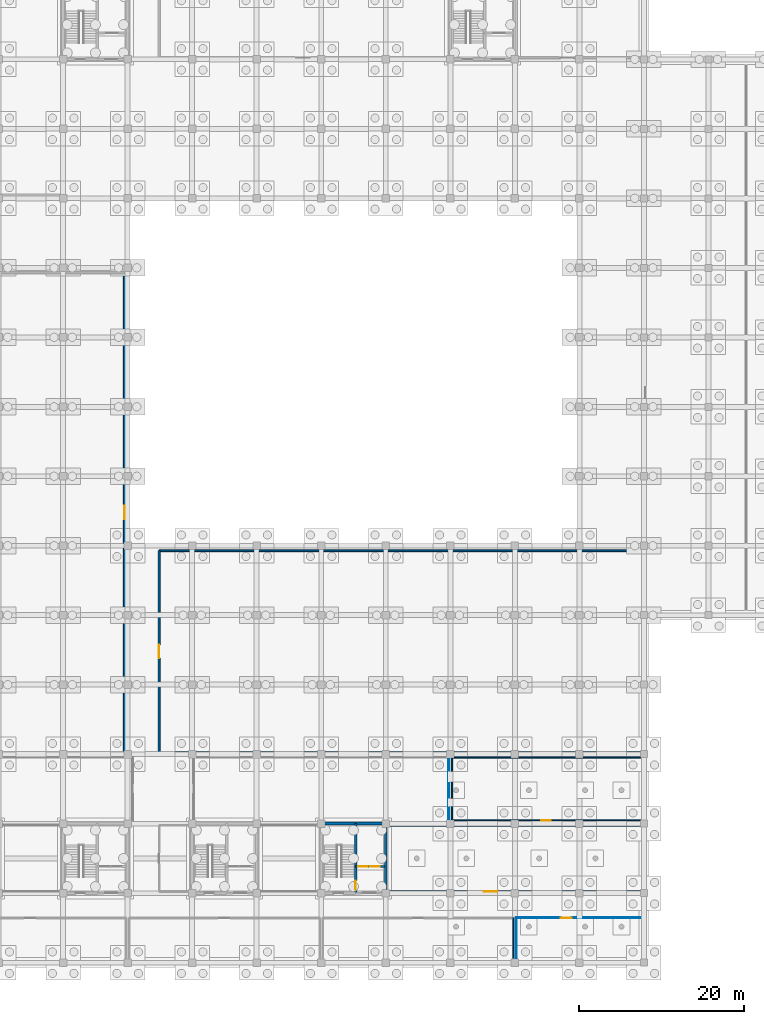
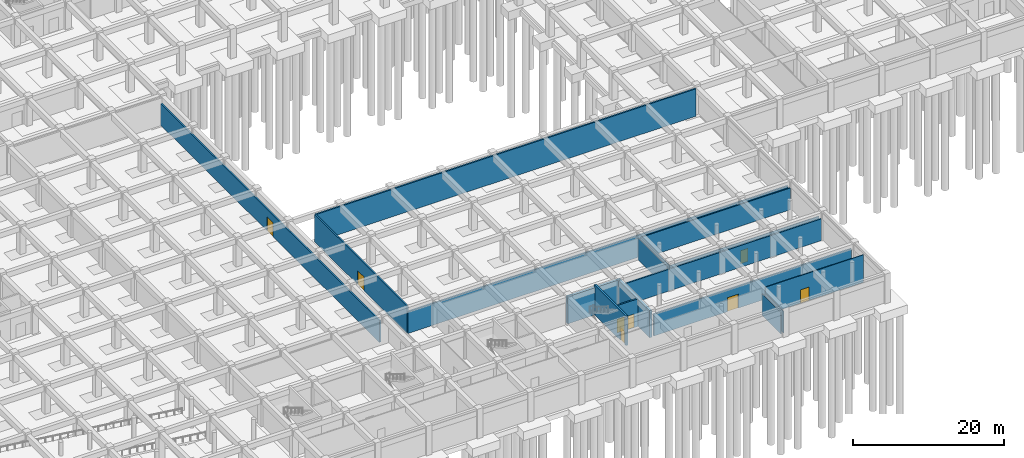
# One storey, part 20 of 31: 17 walls, 8 doors, 8 openings.
"""IFC4 building model written with IfcOpenShell, lengths in metres."""

import ifcopenshell
import ifcopenshell.guid

model = None  # the IFC model being written
_history = None  # IfcOwnerHistory: only IFC2X3 demands one
_inside = {}  # id of a spatial element -> (the spatial element, [elements in it])
_under = {}  # id of a project, library or spatial element -> (it, [spatial elements below it])
_declared = {}  # id of a project -> (the project, [libraries it declares])
_typed = {}  # id of a type object -> (the type object, [elements of that type])
_made_of = {}  # id of a material, layer set ... -> (it, [elements and type objects made of it])


def new_model(schema):
    """Start an empty IFC model of exactly this schema.

    Asked for "IFC4X3", IfcOpenShell would pick the latest addendum, in which some entities
    have other attributes; the version numbers below select the first issue.
    IFC2X3 requires an IfcOwnerHistory on every rooted entity: one is made here for all.
    """
    global model, _history
    if schema == "IFC4X3":
        model = ifcopenshell.file(schema_version=(4, 3, 0, 0))
    else:
        model = ifcopenshell.file(schema=schema)
    _inside.clear()
    _under.clear()
    _declared.clear()
    _typed.clear()
    _made_of.clear()
    _history = None
    if model.schema == "IFC2X3":
        org = make("IfcOrganization", Name="unknown")
        user = make(
            "IfcPersonAndOrganization",
            ThePerson=make("IfcPerson", FamilyName="unknown"),
            TheOrganization=org,
        )
        app = make(
            "IfcApplication",
            ApplicationDeveloper=org,
            Version="unknown",
            ApplicationFullName="unknown",
            ApplicationIdentifier="unknown",
        )
        _history = make(
            "IfcOwnerHistory",
            OwningUser=user,
            OwningApplication=app,
            ChangeAction="ADDED",
            CreationDate=0,
        )
    return model


def make(cls, **values):
    """One entity of the class cls with the attributes given. An attribute that is None is left unset."""
    return model.create_entity(
        cls, **{name: value for name, value in values.items() if value is not None}
    )


def rooted(cls, **values):
    """An entity with a GlobalId (a new one), such as an element, a storey or a relation."""
    return make(cls, GlobalId=ifcopenshell.guid.new(), OwnerHistory=_history, **values)


def si_unit(unit_type, name, prefix=None):
    """IfcSIUnit, for example si_unit("LENGTHUNIT", "METRE", prefix="MILLI")."""
    return make("IfcSIUnit", UnitType=unit_type, Prefix=prefix, Name=name)


def assignment(units):
    """IfcUnitAssignment: the units of a project."""
    return None if units is None else make("IfcUnitAssignment", Units=units)


def point(xyz):
    """IfcCartesianPoint."""
    return None if xyz is None else make("IfcCartesianPoint", Coordinates=xyz)


def direction(xyz):
    """IfcDirection."""
    return None if xyz is None else make("IfcDirection", DirectionRatios=xyz)


def frame(location, z_axis=None, x_axis=None):
    """IfcAxis2Placement3D, a coordinate frame: its origin and axes. An axis left out is left unset."""
    return make(
        "IfcAxis2Placement3D",
        Location=point(location),
        Axis=direction(z_axis),
        RefDirection=direction(x_axis),
    )


def frame_2d(location, x_axis=None):
    """IfcAxis2Placement2D, a coordinate frame in the plane: its origin and x axis."""
    return make(
        "IfcAxis2Placement2D", Location=point(location), RefDirection=direction(x_axis)
    )


def origin():
    """The frame at (0, 0, 0) with its axes left unset."""
    return frame((0.0, 0.0, 0.0))


def place(relative_to, where):
    """IfcLocalPlacement: puts the frame where relative to a parent placement (None: the world)."""
    return make(
        "IfcLocalPlacement", PlacementRelTo=relative_to, RelativePlacement=where
    )


def context(
    kind, dimensions, precision=None, world=None, true_north=None, identifier=None
):
    """IfcGeometricRepresentationContext, for example the 3D "Model" context."""
    return make(
        "IfcGeometricRepresentationContext",
        ContextIdentifier=identifier,
        ContextType=kind,
        CoordinateSpaceDimension=dimensions,
        Precision=precision,
        WorldCoordinateSystem=world,
        TrueNorth=true_north,
    )


def subcontext(parent, identifier, kind, view, scale=None):
    """IfcGeometricRepresentationSubContext, for example "Body" below "Model"."""
    return make(
        "IfcGeometricRepresentationSubContext",
        ContextIdentifier=identifier,
        ContextType=kind,
        ParentContext=parent,
        TargetScale=scale,
        TargetView=view,
    )


def project(units=None, contexts=None):
    """IfcProject with its units and contexts."""
    return rooted(
        "IfcProject",
        Name="project",
        RepresentationContexts=contexts,
        UnitsInContext=assignment(units),
    )


def spatial(cls, under=None, at=None, **own):
    """A site, building, storey or space (cls), placed at a placement, below another one or the project."""
    s = rooted(cls, ObjectPlacement=at, **own)
    if under is not None:
        _under.setdefault(under.id(), (under, []))[1].append(s)
    return s


def profile(cls, at=None, kind="AREA", **sizes):
    """A parametric profile (cls). Its sizes go by their IFC names, for example OverallWidth=200.0."""
    return make(cls, ProfileType=kind, Position=at, **sizes)


def rectangle(**sizes):
    """IfcRectangleProfileDef."""
    return profile("IfcRectangleProfileDef", **sizes)


def extrude(swept, where, along, depth):
    """IfcExtrudedAreaSolid: the profile swept, set in the frame where, extruded along a direction by depth."""
    return make(
        "IfcExtrudedAreaSolid",
        SweptArea=swept,
        Position=where,
        ExtrudedDirection=direction(along),
        Depth=depth,
    )


def shape(context_of_items, identifier, shape_type, items):
    """IfcShapeRepresentation: the items that make up one representation, for example the "Body"."""
    return make(
        "IfcShapeRepresentation",
        ContextOfItems=context_of_items,
        RepresentationIdentifier=identifier,
        RepresentationType=shape_type,
        Items=items,
    )


def material(Name=None, Category=None):
    """IfcMaterial."""
    return make("IfcMaterial", Name=Name, Category=Category)


def layer(
    of_material, thickness, ventilated=None, Name=None, Category=None, Priority=None
):
    """IfcMaterialLayer: one layer of a wall or slab, of a material (None: an air gap)."""
    return make(
        "IfcMaterialLayer",
        Material=of_material,
        LayerThickness=thickness,
        IsVentilated=ventilated,
        Name=Name,
        Category=Category,
        Priority=Priority,
    )


def layer_set(layers, Name=None):
    """IfcMaterialLayerSet."""
    return make("IfcMaterialLayerSet", MaterialLayers=layers, LayerSetName=Name)


def made_of(thing, what):
    """Note that an element or type object is made of a material, layer set ...; save() writes the relation."""
    if what is not None:
        _made_of.setdefault(what.id(), (what, []))[1].append(thing)
    return thing


def type_object(cls, material=None, **own):
    """A type object (cls), such as IfcWallType, which elements share."""
    return made_of(rooted(cls, **own), material)


def element(
    cls,
    number,
    at=None,
    inside=None,
    cuts=None,
    type_object=None,
    material=None,
    context=None,
    identifier="Body",
    shape_type=None,
    held_by="IfcProductDefinitionShape",
    body=None,
    shapes=None,
    **own,
):
    """One element of the class cls, such as IfcWall. Its Tag is "e" and its number.

    at: its placement. inside: the storey or other place that contains it. cuts: it is an
    opening in that element (IfcRelVoidsElement). A single representation is given by context,
    identifier, shape_type and body (its items); several are given by shapes. held_by: the class
    of the entity that holds the representations. save() writes the other relations.
    """
    e = rooted(cls, Tag="e%d" % number, ObjectPlacement=at, **own)
    if body is not None:
        shapes = [shape(context, identifier, shape_type, body)]
    if shapes is not None:
        e.Representation = make(held_by, Representations=shapes)
    if inside is not None:
        _inside.setdefault(inside.id(), (inside, []))[1].append(e)
    if cuts is not None:
        rooted(
            "IfcRelVoidsElement", RelatingBuildingElement=cuts, RelatedOpeningElement=e
        )
    if type_object is not None:
        _typed.setdefault(type_object.id(), (type_object, []))[1].append(e)
    return made_of(e, material)


def fill(opening, filler):
    """IfcRelFillsElement: the door or window that sits in an opening."""
    return rooted(
        "IfcRelFillsElement",
        RelatingOpeningElement=opening,
        RelatedBuildingElement=filler,
    )


def aggregate(whole, parts):
    """IfcRelAggregates: a whole, such as a stair, and the parts it consists of."""
    return rooted("IfcRelAggregates", RelatingObject=whole, RelatedObjects=parts)


def save(model, path):
    """Write the relations noted so far, then the file.

    IfcRelAggregates (storeys below a building ...), IfcRelContainedInSpatialStructure (elements
    in a storey), IfcRelDefinesByType, IfcRelAssociatesMaterial and IfcRelDeclares: one each for
    every whole, place, type object, material and project.
    """
    for whole, parts in _under.values():
        aggregate(whole, parts)
    for where, things in _inside.values():
        rooted(
            "IfcRelContainedInSpatialStructure",
            RelatedElements=things,
            RelatingStructure=where,
        )
    for kind, things in _typed.values():
        rooted("IfcRelDefinesByType", RelatedObjects=things, RelatingType=kind)
    for what, things in _made_of.values():
        rooted("IfcRelAssociatesMaterial", RelatedObjects=things, RelatingMaterial=what)
    for by, libraries in _declared.values():
        rooted("IfcRelDeclares", RelatingContext=by, RelatedDefinitions=libraries)
    model.write(path)


model = new_model("IFC4")

# Units and contexts
model_context = context("Model", 3, precision=1e-05, world=origin(), true_north=direction((0.0, 1.0)))
body_context = subcontext(model_context, "Body", "Model", "MODEL_VIEW")
ifc_project = project(units=[si_unit("LENGTHUNIT", "METRE"), si_unit("AREAUNIT", "SQUARE_METRE"), si_unit("VOLUMEUNIT", "CUBIC_METRE"), si_unit("PLANEANGLEUNIT", "RADIAN"), si_unit("MASSUNIT", "GRAM", prefix="KILO")], contexts=[model_context])

# Site, building, storey
site_placement = place(None, origin())
site = spatial("IfcSite", under=ifc_project, at=site_placement, CompositionType="ELEMENT")
building_placement = place(site_placement, origin())
building = spatial("IfcBuilding", under=site, at=building_placement, Name="Zizhar Promenade General Hospital", CompositionType="ELEMENT")
storey_placement = place(building_placement, frame((0.0, 0.0, -4.800048828125)))
storey = spatial("IfcBuildingStorey", under=building, at=storey_placement, Name="B1", CompositionType="ELEMENT", Elevation=-4.800048828125)

# Wall, opening, door
ifc_material_1 = material(Name="Clinical consultation partition")
ifc_layer_1 = layer(ifc_material_1, 0.14501953125)
ifc_layer_set_1 = layer_set([ifc_layer_1], Name="Clinical consultation partition")
wall_type_1 = type_object("IfcWallType", Name="IW-CLN-145", PredefinedType="PARTITIONING", material=ifc_layer_set_1)
wall_1_placement = place(storey_placement, frame((109.39990234375, 17.199951171875, 0.0), z_axis=(0.0, 0.0, 1.0), x_axis=(1.0, 0.0, 0.0)))
wall_1 = element("IfcWall", 1, at=wall_1_placement, inside=storey, type_object=wall_type_1, Name="Clinical Waste Hold and Cold Store S Partition", PredefinedType="PARTITIONING", context=body_context, shape_type="SweptSolid", body=[
    extrude(rectangle(XDim=22.800048828125, YDim=0.14501953125, at=frame_2d((11.39990234375, 0.0))), origin(), (0.0, 0.0, 1.0), 3.530029296875),
])
opening_1_placement = place(wall_1_placement, frame((10.824951171875, 0.0, 0.0)))
opening_1 = element("IfcOpeningElement", 2, at=opening_1_placement, cuts=wall_1, Name="Opening D-15", PredefinedType="OPENING", context=body_context, shape_type="SweptSolid", body=[
    extrude(rectangle(XDim=1.14990234375, YDim=2.14990234375, at=frame_2d((0.574951171875, 1.074951171875))), frame((0.0, 0.08251953125, 0.0), z_axis=(0.0, -1.0, 0.0), x_axis=(1.0, 0.0, 0.0)), (0.0, 0.0, 1.0), 0.1650390625),
])
ifc_material_2 = material(Name="Fire-rated timber treatment leaf", Category="wood")
door_type_1 = type_object("IfcDoorType", Name="DR-CLN-TREAT-115x215", OperationType="NOTDEFINED", PredefinedType="DOOR", material=ifc_material_2)
door_1_placement = place(opening_1_placement, origin())
door_1 = element("IfcDoor", 3, at=door_1_placement, inside=storey, type_object=door_type_1, Name="Clinical Waste Hold and Cold Store Door", OperationType="SINGLE_SWING_LEFT", OverallHeight=2.14990234375, OverallWidth=1.14990234375, PredefinedType="DOOR", context=body_context, shape_type="SweptSolid", body=[
    extrude(rectangle(XDim=1.14990234375, YDim=2.14990234375, at=frame_2d((0.574951171875, 1.074951171875))), frame((0.0, 0.02490234375, 0.0), z_axis=(0.0, -1.0, 0.0), x_axis=(1.0, 0.0, 0.0)), (0.0, 0.0, 1.0), 0.050048828125),
])
fill(opening_1, door_1)

# Walls
wall_2_placement = place(storey_placement, frame((109.39990234375, 24.800048828125, 0.0), z_axis=(0.0, 0.0, 1.0), x_axis=(1.0, 0.0, 0.0)))
element("IfcWall", 4, at=wall_2_placement, inside=storey, type_object=wall_type_1, Name="Clinical Waste Hold and Cold Store N Partition", PredefinedType="PARTITIONING", context=body_context, shape_type="SweptSolid", body=[
    extrude(rectangle(XDim=22.800048828125, YDim=0.14501953125, at=frame_2d((11.39990234375, 0.0))), origin(), (0.0, 0.0, 1.0), 3.530029296875),
])
wall_3_placement = place(storey_placement, frame((109.39990234375, 17.199951171875, 0.0), z_axis=(0.0, 0.0, 1.0), x_axis=(0.0, 1.0, 0.0)))
element("IfcWall", 5, at=wall_3_placement, inside=storey, type_object=wall_type_1, Name="Clinical Waste Hold and Cold Store W Partition", PredefinedType="PARTITIONING", context=body_context, shape_type="SweptSolid", body=[
    extrude(rectangle(XDim=7.60009765625, YDim=0.14501953125, at=frame_2d((3.800048828125, 0.0))), origin(), (0.0, 0.0, 1.0), 3.51513671875),
])
ifc_material_3 = material(Name="Chemical-resistant laboratory partition")
ifc_layer_2 = layer(ifc_material_3, 0.135009765625)
ifc_layer_set_2 = layer_set([ifc_layer_2], Name="Chemical-resistant laboratory partition")
wall_type_2 = type_object("IfcWallType", Name="IW-LAB-135", PredefinedType="PARTITIONING", material=ifc_layer_set_2)
wall_4_placement = place(storey_placement, frame((116.800048828125, 0.5, 0.0), z_axis=(0.0, 0.0, 1.0), x_axis=(0.0, 1.0, 0.0)))
element("IfcWall", 6, at=wall_4_placement, inside=storey, type_object=wall_type_2, Name="Sterile Surgical Pack Store E Partition", PredefinedType="PARTITIONING", context=body_context, shape_type="SweptSolid", body=[
    extrude(rectangle(XDim=4.89990234375, YDim=0.135009765625, at=frame_2d((2.449951171875, 0.0))), origin(), (0.0, 0.0, 1.0), 3.51513671875),
])

# Wall, opening, door
ifc_material_4 = material(Name="Concrete block masonry C30/37", Category="masonry")
ifc_layer_3 = layer(ifc_material_4, 0.22998046875)
ifc_layer_set_3 = layer_set([ifc_layer_3], Name="Concrete block masonry C30/37")
wall_type_3 = type_object("IfcWallType", Name="IW-PLNT-230", PredefinedType="STANDARD", material=ifc_layer_set_3)
wall_5_placement = place(storey_placement, frame((101.9599609375, 8.60009765625, 0.0), z_axis=(0.0, 0.0, 1.0), x_axis=(1.0, 0.0, 0.0)))
wall_5 = element("IfcWall", 7, at=wall_5_placement, inside=storey, type_object=wall_type_3, Name="Central Medical Gas Manifold Plant S Partition", PredefinedType="STANDARD", context=body_context, shape_type="SweptSolid", body=[
    extrude(rectangle(XDim=30.239990234375, YDim=0.22998046875, at=frame_2d((15.1201171875, 0.0))), origin(), (0.0, 0.0, 1.0), 3.530029296875),
])
opening_2_placement = place(wall_5_placement, frame((11.27099609375, 0.0, 0.0)))
opening_2 = element("IfcOpeningElement", 8, at=opening_2_placement, cuts=wall_5, Name="Opening D-24", PredefinedType="OPENING", context=body_context, shape_type="SweptSolid", body=[
    extrude(rectangle(XDim=1.64990234375, YDim=2.25, at=frame_2d((0.824951171875, 1.125))), frame((0.0, 0.125, 0.0), z_axis=(0.0, -1.0, 0.0), x_axis=(1.0, 0.0, 0.0)), (0.0, 0.0, 1.0), 0.25),
])
ifc_material_5 = material(Name="Steel S355 acoustic plant pair", Category="steel")
door_type_2 = type_object("IfcDoorType", Name="DR-PLNT-165x225", OperationType="DOUBLE_DOOR_SINGLE_SWING", PredefinedType="DOOR", material=ifc_material_5)
door_2_placement = place(opening_2_placement, origin())
door_2 = element("IfcDoor", 9, at=door_2_placement, inside=storey, type_object=door_type_2, Name="Central Medical Gas Manifold Plant Door", OperationType="DOUBLE_DOOR_SINGLE_SWING", OverallHeight=2.25, OverallWidth=1.64990234375, PredefinedType="DOOR", context=body_context, shape_type="SweptSolid", body=[
    extrude(rectangle(XDim=1.64990234375, YDim=2.25, at=frame_2d((0.824951171875, 1.125))), frame((0.0, 0.02490234375, 0.0), z_axis=(0.0, -1.0, 0.0), x_axis=(1.0, 0.0, 0.0)), (0.0, 0.0, 1.0), 0.050048828125),
])
fill(opening_2, door_2)

# Wall
wall_6_placement = place(storey_placement, frame((101.9599609375, 16.60009765625, 0.0), z_axis=(0.0, 0.0, 1.0), x_axis=(1.0, 0.0, 0.0)))
element("IfcWall", 10, at=wall_6_placement, inside=storey, type_object=wall_type_3, Name="Central Medical Gas Manifold Plant N Partition", PredefinedType="STANDARD", context=body_context, shape_type="SweptSolid", body=[
    extrude(rectangle(XDim=30.239990234375, YDim=0.22998046875, at=frame_2d((15.1201171875, 0.0))), origin(), (0.0, 0.0, 1.0), 3.530029296875),
])

# Wall, opening, door
wall_7_placement = place(storey_placement, frame((69.800048828125, 25.39990234375, 0.0), z_axis=(0.0, 0.0, 1.0), x_axis=(0.0, 1.0, 0.0)))
wall_7 = element("IfcWall", 11, at=wall_7_placement, inside=storey, type_object=wall_type_3, Name="Chiller and Heat-Pump Plant Room E Partition", PredefinedType="STANDARD", context=body_context, shape_type="SweptSolid", body=[
    extrude(rectangle(XDim=58.0, YDim=0.22998046875, at=frame_2d((29.0, 0.0))), origin(), (0.0, 0.0, 1.0), 3.51513671875),
])
opening_3_placement = place(wall_7_placement, frame((28.175048828125, 0.0, 0.0)))
opening_3 = element("IfcOpeningElement", 12, at=opening_3_placement, cuts=wall_7, Name="Opening D-24", PredefinedType="OPENING", context=body_context, shape_type="SweptSolid", body=[
    extrude(rectangle(XDim=1.64990234375, YDim=2.25, at=frame_2d((0.824951171875, 1.125))), frame((0.0, 0.125, 0.0), z_axis=(0.0, -1.0, 0.0), x_axis=(1.0, 0.0, 0.0)), (0.0, 0.0, 1.0), 0.25),
])
door_3_placement = place(opening_3_placement, origin())
door_3 = element("IfcDoor", 13, at=door_3_placement, inside=storey, type_object=door_type_2, Name="Chiller and Heat-Pump Plant Room Door", OperationType="DOUBLE_DOOR_SINGLE_SWING", OverallHeight=2.25, OverallWidth=1.64990234375, PredefinedType="DOOR", context=body_context, shape_type="SweptSolid", body=[
    extrude(rectangle(XDim=1.64990234375, YDim=2.25, at=frame_2d((0.824951171875, 1.125))), frame((0.0, 0.02490234375, 0.0), z_axis=(0.0, -1.0, 0.0), x_axis=(1.0, 0.0, 0.0)), (0.0, 0.0, 1.0), 0.050048828125),
])
fill(opening_3, door_3)

# Walls
wall_8_placement = place(storey_placement, frame((74.0, 25.39990234375, 0.0), z_axis=(0.0, 0.0, 1.0), x_axis=(1.0, 0.0, 0.0)))
element("IfcWall", 14, at=wall_8_placement, inside=storey, type_object=wall_type_3, Name="Potable Water and Fire Tank Plant Room S Partition", PredefinedType="STANDARD", context=body_context, shape_type="SweptSolid", body=[
    extrude(rectangle(XDim=58.199951171875, YDim=0.22998046875, at=frame_2d((29.10009765625, 0.0))), origin(), (0.0, 0.0, 1.0), 3.530029296875),
])
wall_9_placement = place(storey_placement, frame((74.0, 49.800048828125, 0.0), z_axis=(0.0, 0.0, 1.0), x_axis=(1.0, 0.0, 0.0)))
element("IfcWall", 15, at=wall_9_placement, inside=storey, type_object=wall_type_3, Name="Potable Water and Fire Tank Plant Room N Partition", PredefinedType="STANDARD", context=body_context, shape_type="SweptSolid", body=[
    extrude(rectangle(XDim=58.199951171875, YDim=0.22998046875, at=frame_2d((29.10009765625, 0.0))), origin(), (0.0, 0.0, 1.0), 4.4599609375),
])

# Wall, opening, door
wall_10_placement = place(storey_placement, frame((74.0, 25.39990234375, 0.0), z_axis=(0.0, 0.0, 1.0), x_axis=(0.0, 1.0, 0.0)))
wall_10 = element("IfcWall", 16, at=wall_10_placement, inside=storey, type_object=wall_type_3, Name="Potable Water and Fire Tank Plant Room W Partition", PredefinedType="STANDARD", context=body_context, shape_type="SweptSolid", body=[
    extrude(rectangle(XDim=24.400146484375, YDim=0.22998046875, at=frame_2d((12.2001953125, 0.0))), origin(), (0.0, 0.0, 1.0), 4.4599609375),
])
opening_4_placement = place(wall_10_placement, frame((11.375, 0.0, 0.0)))
opening_4 = element("IfcOpeningElement", 17, at=opening_4_placement, cuts=wall_10, Name="Opening D-24", PredefinedType="OPENING", context=body_context, shape_type="SweptSolid", body=[
    extrude(rectangle(XDim=1.64990234375, YDim=2.25, at=frame_2d((0.824951171875, 1.125))), frame((0.0, 0.125, 0.0), z_axis=(0.0, -1.0, 0.0), x_axis=(1.0, 0.0, 0.0)), (0.0, 0.0, 1.0), 0.25),
])
door_4_placement = place(opening_4_placement, origin())
door_4 = element("IfcDoor", 18, at=door_4_placement, inside=storey, type_object=door_type_2, Name="Potable Water and Fire Tank Plant Room Door", OperationType="DOUBLE_DOOR_SINGLE_SWING", OverallHeight=2.25, OverallWidth=1.64990234375, PredefinedType="DOOR", context=body_context, shape_type="SweptSolid", body=[
    extrude(rectangle(XDim=1.64990234375, YDim=2.25, at=frame_2d((0.824951171875, 1.125))), frame((0.0, 0.02490234375, 0.0), z_axis=(0.0, -1.0, 0.0), x_axis=(1.0, 0.0, 0.0)), (0.0, 0.0, 1.0), 0.050048828125),
])
fill(opening_4, door_4)

# Wall, openings, doors
ifc_material_6 = material(Name="Concrete C35/45", Category="concrete")
ifc_layer_4 = layer(ifc_material_6, 0.25)
ifc_layer_set_4 = layer_set([ifc_layer_4], Name="Concrete C35/45")
wall_type_4 = type_object("IfcWallType", Name="IW-SHAFT-250", PredefinedType="STANDARD", material=ifc_layer_set_4)
wall_11_placement = place(storey_placement, frame((97.75, 11.60009765625, 0.0), z_axis=(0.0, 0.0, 1.0), x_axis=(1.0, 0.0, 0.0)))
wall_11 = element("IfcWall", 19, at=wall_11_placement, inside=storey, type_object=wall_type_4, Name="Core C5 Lift Shaft Landing Wall (B1)", PredefinedType="STANDARD", context=body_context, shape_type="SweptSolid", body=[
    extrude(rectangle(XDim=3.5, YDim=0.25, at=frame_2d((1.75, 0.0))), origin(), (0.0, 0.0, 1.0), 4.4599609375),
])
opening_5_placement = place(wall_11_placement, frame((0.35009765625, 0.0, 0.0)))
opening_5 = element("IfcOpeningElement", 20, at=opening_5_placement, cuts=wall_11, Name="Opening LD-11", PredefinedType="OPENING", context=body_context, shape_type="SweptSolid", body=[
    extrude(rectangle(XDim=1.10009765625, YDim=2.199951171875, at=frame_2d((0.550048828125, 1.10009765625))), frame((0.0, 0.135009765625, 0.0), z_axis=(0.0, -1.0, 0.0), x_axis=(1.0, 0.0, 0.0)), (0.0, 0.0, 1.0), 0.27001953125),
])
opening_6_placement = place(wall_11_placement, frame((1.800048828125, 0.0, 0.0)))
opening_6 = element("IfcOpeningElement", 21, at=opening_6_placement, cuts=wall_11, Name="Opening LD-11", PredefinedType="OPENING", context=body_context, shape_type="SweptSolid", body=[
    extrude(rectangle(XDim=1.10009765625, YDim=2.199951171875, at=frame_2d((0.550048828125, 1.10009765625))), frame((0.0, 0.135009765625, 0.0), z_axis=(0.0, -1.0, 0.0), x_axis=(1.0, 0.0, 0.0)), (0.0, 0.0, 1.0), 0.27001953125),
])
ifc_material_7 = material(Name="Stainless Steel S355 passenger lift landing door", Category="steel")
door_type_3 = type_object("IfcDoorType", Name="DR-LIFT-LD11", OperationType="SLIDING_TO_LEFT", PredefinedType="DOOR", material=ifc_material_7)
door_5_placement = place(opening_5_placement, origin())
door_5 = element("IfcDoor", 22, at=door_5_placement, inside=storey, type_object=door_type_3, Name="Lift LF-02 Sliding Landing Door (B1)", OperationType="SLIDING_TO_LEFT", OverallHeight=2.199951171875, OverallWidth=1.10009765625, PredefinedType="DOOR", context=body_context, shape_type="SweptSolid", body=[
    extrude(rectangle(XDim=1.10009765625, YDim=2.199951171875, at=frame_2d((0.550048828125, 1.10009765625))), frame((0.0, 0.02490234375, 0.0), z_axis=(0.0, -1.0, 0.0), x_axis=(1.0, 0.0, 0.0)), (0.0, 0.0, 1.0), 0.050048828125),
])
fill(opening_5, door_5)
door_6_placement = place(opening_6_placement, origin())
door_6 = element("IfcDoor", 23, at=door_6_placement, inside=storey, type_object=door_type_3, Name="Lift LB-04 Sliding Landing Door (B1)", OperationType="SLIDING_TO_LEFT", OverallHeight=2.199951171875, OverallWidth=1.10009765625, PredefinedType="DOOR", context=body_context, shape_type="SweptSolid", body=[
    extrude(rectangle(XDim=1.10009765625, YDim=2.199951171875, at=frame_2d((0.550048828125, 1.10009765625))), frame((0.0, 0.02490234375, 0.0), z_axis=(0.0, -1.0, 0.0), x_axis=(1.0, 0.0, 0.0)), (0.0, 0.0, 1.0), 0.050048828125),
])
fill(opening_6, door_6)

# Wall, opening, door
ifc_material_8 = material(Name="Clean utility gypsum partition")
ifc_layer_5 = layer(ifc_material_8, 0.114990234375)
ifc_layer_set_5 = layer_set([ifc_layer_5], Name="Clean utility gypsum partition")
wall_type_5 = type_object("IfcWallType", Name="IW-STR-115", PredefinedType="PARTITIONING", material=ifc_layer_set_5)
wall_12_placement = place(storey_placement, frame((117.199951171875, 5.39990234375, 0.0), z_axis=(0.0, 0.0, 1.0), x_axis=(1.0, 0.0, 0.0)))
wall_12 = element("IfcWall", 24, at=wall_12_placement, inside=storey, type_object=wall_type_5, Name="Hospital Pharmacy Bulk Vault N Partition", PredefinedType="PARTITIONING", context=body_context, shape_type="SweptSolid", body=[
    extrude(rectangle(XDim=15.0, YDim=0.114990234375, at=frame_2d((7.5, 0.0))), origin(), (0.0, 0.0, 1.0), 4.4599609375),
])
opening_7_placement = place(wall_12_placement, frame((5.340087890625, 0.0, 0.0)))
opening_7 = element("IfcOpeningElement", 25, at=opening_7_placement, cuts=wall_12, Name="Opening D-26", PredefinedType="OPENING", context=body_context, shape_type="SweptSolid", body=[
    extrude(rectangle(XDim=1.320068359375, YDim=2.14990234375, at=frame_2d((0.66015625, 1.074951171875))), frame((0.0, 0.0673828125, 0.0), z_axis=(0.0, -1.0, 0.0), x_axis=(1.0, 0.0, 0.0)), (0.0, 0.0, 1.0), 0.135009765625),
])
ifc_material_9 = material(Name="Fire-rated timber store leaf", Category="wood")
door_type_4 = type_object("IfcDoorType", Name="DR-STORE-132x215", OperationType="NOTDEFINED", PredefinedType="DOOR", material=ifc_material_9)
door_7_placement = place(opening_7_placement, origin())
door_7 = element("IfcDoor", 26, at=door_7_placement, inside=storey, type_object=door_type_4, Name="Hospital Pharmacy Bulk Vault Door", OperationType="SINGLE_SWING_RIGHT", OverallHeight=2.14990234375, OverallWidth=1.320068359375, PredefinedType="DOOR", context=body_context, shape_type="SweptSolid", body=[
    extrude(rectangle(XDim=1.320068359375, YDim=2.14990234375, at=frame_2d((0.66015625, 1.074951171875))), frame((0.0, 0.02490234375, 0.0), z_axis=(0.0, -1.0, 0.0), x_axis=(1.0, 0.0, 0.0)), (0.0, 0.0, 1.0), 0.050048828125),
])
fill(opening_7, door_7)

# Walls
wall_13_placement = place(storey_placement, frame((117.199951171875, 0.5, 0.0), z_axis=(0.0, 0.0, 1.0), x_axis=(0.0, 1.0, 0.0)))
element("IfcWall", 27, at=wall_13_placement, inside=storey, type_object=wall_type_5, Name="Hospital Pharmacy Bulk Vault W Partition", PredefinedType="PARTITIONING", context=body_context, shape_type="SweptSolid", body=[
    extrude(rectangle(XDim=4.89990234375, YDim=0.114990234375, at=frame_2d((2.449951171875, 0.0))), origin(), (0.0, 0.0, 1.0), 3.51513671875),
])
wall_14_placement = place(storey_placement, frame((109.0, 17.199951171875, 0.0), z_axis=(0.0, 0.0, 1.0), x_axis=(0.0, 1.0, 0.0)))
element("IfcWall", 28, at=wall_14_placement, inside=storey, type_object=wall_type_5, Name="Biomedical Equipment Workshop E Partition", PredefinedType="PARTITIONING", context=body_context, shape_type="SweptSolid", body=[
    extrude(rectangle(XDim=7.60009765625, YDim=0.114990234375, at=frame_2d((3.800048828125, 0.0))), origin(), (0.0, 0.0, 1.0), 3.51513671875),
])

# Wall, opening, door
ifc_material_10 = material(Name="Concrete C40/50", Category="concrete")
ifc_layer_6 = layer(ifc_material_10, 0.300048828125)
ifc_layer_set_6 = layer_set([ifc_layer_6], Name="Concrete C40/50")
wall_type_6 = type_object("IfcWallType", Name="WL-CORE-300", PredefinedType="SHEAR", material=ifc_layer_set_6)
wall_15_placement = place(storey_placement, frame((97.75, 8.39990234375, 0.0), z_axis=(0.0, 0.0, 1.0), x_axis=(0.0, 1.0, 0.0)))
wall_15 = element("IfcWall", 29, at=wall_15_placement, inside=storey, type_object=wall_type_6, Name="Core C5 Stair-Shaft Separation Wall (B1)", PredefinedType="SHEAR", context=body_context, shape_type="SweptSolid", body=[
    extrude(rectangle(XDim=8.400146484375, YDim=0.300048828125, at=frame_2d((4.2001953125, 0.0))), origin(), (0.0, 0.0, 1.0), 4.800048828125),
])
opening_8_placement = place(wall_15_placement, frame((0.39990234375, 0.0, 0.0)))
opening_8 = element("IfcOpeningElement", 30, at=opening_8_placement, cuts=wall_15, Name="Opening D-21", PredefinedType="OPENING", context=body_context, shape_type="SweptSolid", body=[
    extrude(rectangle(XDim=1.1201171875, YDim=2.14990234375, at=frame_2d((0.56005859375, 1.074951171875))), frame((0.0, 0.16015625, 0.0), z_axis=(0.0, -1.0, 0.0), x_axis=(1.0, 0.0, 0.0)), (0.0, 0.0, 1.0), 0.320068359375),
])
ifc_material_11 = material(Name="Steel S355 protected stair door", Category="steel")
door_type_5 = type_object("IfcDoorType", Name="DR-STAIR-112x215", OperationType="NOTDEFINED", PredefinedType="DOOR", material=ifc_material_11)
door_8_placement = place(opening_8_placement, origin())
door_8 = element("IfcDoor", 31, at=door_8_placement, inside=storey, type_object=door_type_5, Name="Firefighting Lobby to Stair ST-05 Door (B1)", OperationType="SINGLE_SWING_RIGHT", OverallHeight=2.14990234375, OverallWidth=1.1201171875, PredefinedType="DOOR", context=body_context, shape_type="SweptSolid", body=[
    extrude(rectangle(XDim=1.1201171875, YDim=2.14990234375, at=frame_2d((0.56005859375, 1.074951171875))), frame((0.0, 0.02490234375, 0.0), z_axis=(0.0, -1.0, 0.0), x_axis=(1.0, 0.0, 0.0)), (0.0, 0.0, 1.0), 0.050048828125),
])
fill(opening_8, door_8)

# Walls
ifc_material_12 = material(Name="Concrete C40/50", Category="concrete")
ifc_layer_7 = layer(ifc_material_12, 0.35009765625)
ifc_layer_set_7 = layer_set([ifc_layer_7], Name="Concrete C40/50")
wall_type_7 = type_object("IfcWallType", Name="WL-CORE-350", PredefinedType="SHEAR", material=ifc_layer_set_7)
wall_16_placement = place(storey_placement, frame((93.425048828125, 16.800048828125, 0.0), z_axis=(0.0, 0.0, 1.0), x_axis=(1.0, 0.0, 0.0)))
element("IfcWall", 32, at=wall_16_placement, inside=storey, type_object=wall_type_7, Name="Core C5 North Shear Wall B1", PredefinedType="SHEAR", context=body_context, shape_type="SweptSolid", body=[
    extrude(rectangle(XDim=8.14990234375, YDim=0.35009765625, at=frame_2d((4.074951171875, 0.0))), origin(), (0.0, 0.0, 1.0), 4.400146484375),
])
wall_17_placement = place(storey_placement, frame((101.39990234375, 8.39990234375, 0.0), z_axis=(0.0, 0.0, 1.0), x_axis=(0.0, 1.0, 0.0)))
element("IfcWall", 33, at=wall_17_placement, inside=storey, type_object=wall_type_7, Name="Core C5 East Shear Wall B1", PredefinedType="SHEAR", context=body_context, shape_type="SweptSolid", body=[
    extrude(rectangle(XDim=8.400146484375, YDim=0.35009765625, at=frame_2d((4.2001953125, 0.0))), origin(), (0.0, 0.0, 1.0), 4.400146484375),
])

save(model, "model.ifc")
